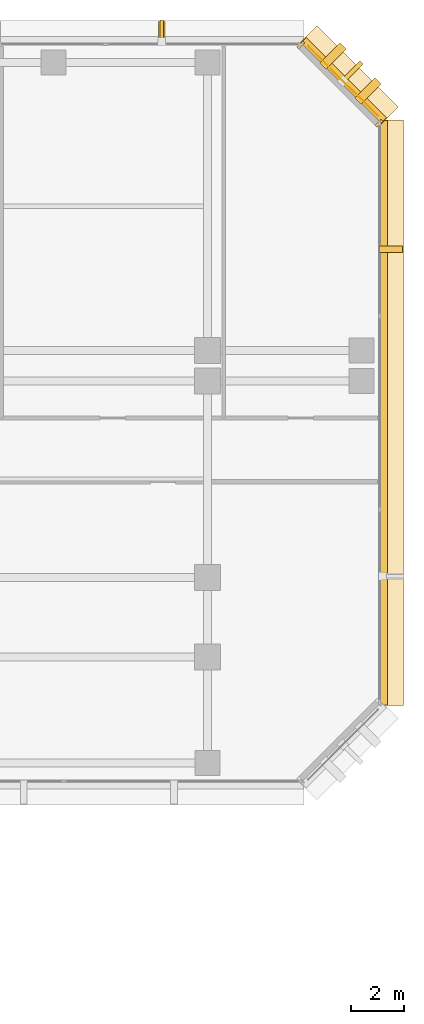
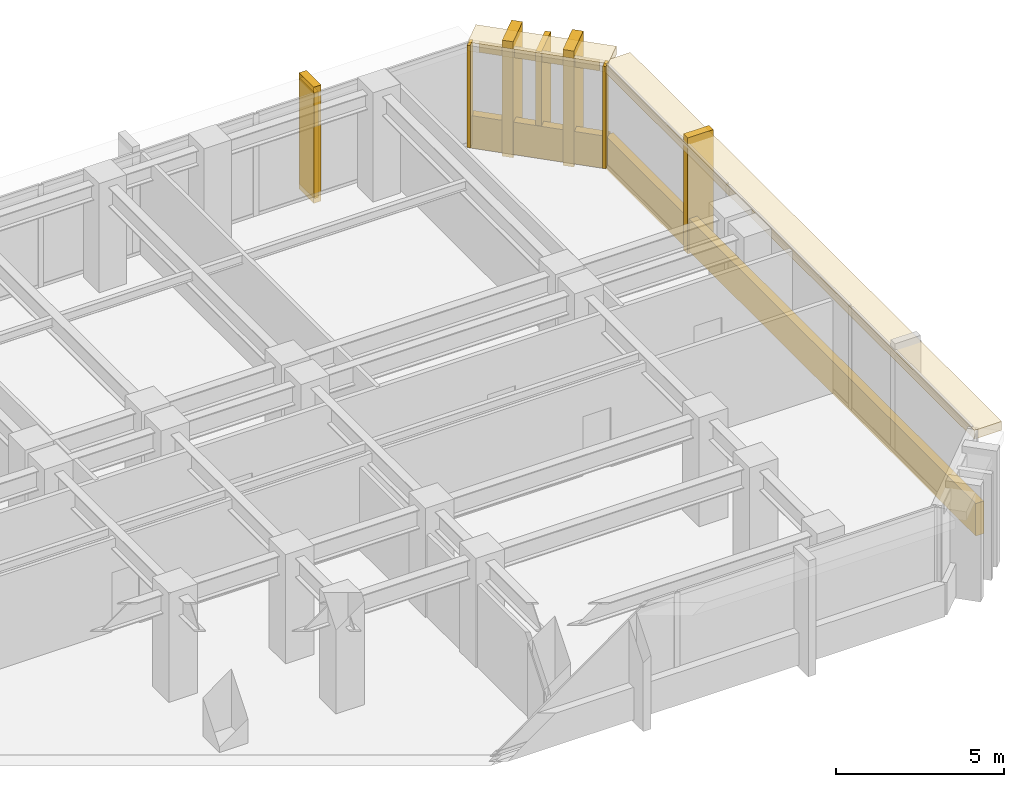
# One storey, part 14 of 14: 11 coverings, 2 shading devices.
"""IFC4 building model written with IfcOpenShell, lengths in metres."""

from ifc_helpers import new_model, si_unit, direction, frame, origin, origin_2d, place, context, subcontext, project, spatial, rectangle, extrude, material, layer, layer_set, material_profile, profile_set, type_object, element, save


model = new_model("IFC4")

# Units and contexts
model_context = context("Model", 3, precision=1e-05, world=origin(), true_north=direction((0.0, 1.0)))
body_context = subcontext(model_context, "Body", "Model", "MODEL_VIEW")
ifc_project = project(units=[si_unit("LENGTHUNIT", "METRE"), si_unit("AREAUNIT", "SQUARE_METRE"), si_unit("VOLUMEUNIT", "CUBIC_METRE"), si_unit("PLANEANGLEUNIT", "RADIAN"), si_unit("MASSUNIT", "GRAM", prefix="KILO")], contexts=[model_context])

# Site, building, storey
site_placement = place(None, origin())
site = spatial("IfcSite", under=ifc_project, at=site_placement, CompositionType="ELEMENT")
building_placement = place(site_placement, origin())
building = spatial("IfcBuilding", under=site, at=building_placement, Name="Kefirva Bronze Tower", CompositionType="ELEMENT")
storey_placement = place(building_placement, frame((0.0, 0.0, 42.239990234375)))
storey = spatial("IfcBuildingStorey", under=building, at=storey_placement, Name="L09", CompositionType="ELEMENT", Elevation=42.239990234375)

# Coverings
ifc_material = material(Name="Bronze anodised aluminium", Category="aluminium")
ifc_layer_1 = layer(ifc_material, 0.02001953125, Name="Bronze anodised aluminium")
ifc_layer_set_1 = layer_set([ifc_layer_1], Name="Bronze anodised aluminium")
covering_type_1 = type_object("IfcCoveringType", Name="Anodised Bronze Spandrel Cladding 20mm", PredefinedType="CLADDING", material=ifc_layer_set_1)
covering_1_placement = place(storey_placement, frame((56.0400390625, 32.0, -0.16015625), z_axis=(0.0, 0.0, 1.0), x_axis=(0.0, 1.0, 0.0)))
element("IfcCovering", 1, at=covering_1_placement, inside=storey, type_object=covering_type_1, Name="L09 Streamline Horizontal Spandrel Band 6", PredefinedType="CLADDING", context=body_context, shape_type="SweptSolid", body=[
    extrude(rectangle(XDim=22.0400390625, YDim=0.280029296875, at=origin_2d()), origin(), (0.0, 0.0, 1.0), 1.179931640625),
])
covering_2_placement = place(storey_placement, frame((54.507080078125, 44.507080078125, 3.2900390625), z_axis=(0.0, 0.0, 1.0), x_axis=(-0.707106781187, 0.707106781187, 0.0)))
element("IfcCovering", 2, at=covering_2_placement, inside=storey, type_object=covering_type_1, Name="L09 Bronze Spandrel Cladding 5", PredefinedType="CLADDING", context=body_context, shape_type="SweptSolid", body=[
    extrude(rectangle(XDim=3.719482421875, YDim=0.02001953125, at=origin_2d()), origin(), (0.0, 0.0, 1.0), 0.39990234375),
])
for number, where, z_axis, x_axis, name in (
    (3, (55.862060546875, 42.91162109375, 0.0), (0.0, 0.0, 1.0), (-0.707106781187, 0.707106781187, 0.0), "L09 Facade Joint Closure Panel 5S"),
    (4, (52.91162109375, 45.862060546875, 0.0), (0.0, 0.0, 1.0), (-0.707106781187, 0.707106781187, 0.0), "L09 Facade Joint Closure Panel 5E"),
):
    element("IfcCovering", number, at=place(storey_placement, frame(where, z_axis=z_axis, x_axis=x_axis)), inside=storey, type_object=covering_type_1, Name=name, PredefinedType="CLADDING", context=body_context, shape_type="SweptSolid", body=[
        extrude(rectangle(XDim=0.10009765625, YDim=0.320068359375, at=origin_2d()), origin(), (0.0, 0.0, 1.0), 3.7099609375),
    ])
covering_3_placement = place(storey_placement, frame((54.5283203125, 44.5283203125, -0.16015625), z_axis=(0.0, 0.0, 1.0), x_axis=(-0.707106781187, 0.707106781187, 0.0)))
element("IfcCovering", 5, at=covering_3_placement, inside=storey, type_object=covering_type_1, Name="L09 Streamline Horizontal Spandrel Band 7", PredefinedType="CLADDING", context=body_context, shape_type="SweptSolid", body=[
    extrude(rectangle(XDim=4.28271484375, YDim=0.280029296875, at=origin_2d()), origin(), (0.0, 0.0, 1.0), 1.179931640625),
])

# Shading device
ifc_material_profile_1 = material_profile(ifc_material, rectangle(XDim=0.179931640625, YDim=1.080078125, at=origin_2d()), Name="BRONZE BUTTRESS FIN 180x1080")
ifc_profile_set_1 = profile_set([ifc_material_profile_1], Name="Bronze anodised aluminium")
shading_device_type_1 = type_object("IfcShadingDeviceType", Name="Chamfered Corner Buttress Bronze Fin 1080mm", PredefinedType="USERDEFINED", material=ifc_profile_set_1)
shading_device_1_placement = place(storey_placement, frame((54.8251953125, 44.8251953125, -0.139892578125), z_axis=(0.0, 0.0, 1.0), x_axis=(-0.707106781187, 0.707106781187, 0.0)))
element("IfcShadingDevice", 6, at=shading_device_1_placement, inside=storey, type_object=shading_device_type_1, Name="L09 Chamfered Corner Buttress Fin 18", ObjectType="VERTICAL FIN", PredefinedType="USERDEFINED", context=body_context, shape_type="SweptSolid", body=[
    extrude(rectangle(XDim=0.179931640625, YDim=1.080078125, at=origin_2d()), origin(), (0.0, 0.0, 1.0), 3.849853515625),
])

# Coverings
ifc_layer_2 = layer(ifc_material, 0.179931640625, Name="Bronze anodised aluminium")
ifc_layer_set_2 = layer_set([ifc_layer_2], Name="Bronze anodised aluminium")
covering_type_2 = type_object("IfcCoveringType", Name="Streamline Bronze Sunshade Eyebrow Cladding 180mm", PredefinedType="CLADDING", material=ifc_layer_set_2)
covering_4_placement = place(storey_placement, frame((56.31005859375, 32.0, 3.39013671875), z_axis=(0.0, 0.0, 1.0), x_axis=(0.0, 1.0, 0.0)))
element("IfcCovering", 7, at=covering_4_placement, inside=storey, type_object=covering_type_2, Name="L09 Streamline Bronze Sunshade Eyebrow 6", PredefinedType="CLADDING", context=body_context, shape_type="SweptSolid", body=[
    extrude(rectangle(XDim=22.080078125, YDim=0.93994140625, at=origin_2d()), origin(), (0.0, 0.0, 1.0), 0.320068359375),
])
covering_5_placement = place(storey_placement, frame((54.71923828125, 44.71923828125, 3.39013671875), z_axis=(0.0, 0.0, 1.0), x_axis=(-0.707106781187, 0.707106781187, 0.0)))
element("IfcCovering", 8, at=covering_5_placement, inside=storey, type_object=covering_type_2, Name="L09 Streamline Bronze Sunshade Eyebrow 7", PredefinedType="CLADDING", context=body_context, shape_type="SweptSolid", body=[
    extrude(rectangle(XDim=4.322509765625, YDim=0.93994140625, at=origin_2d()), origin(), (0.0, 0.0, 1.0), 0.320068359375),
])
ifc_layer_3 = layer(ifc_material, 0.260009765625, Name="Bronze anodised aluminium")
ifc_layer_set_3 = layer_set([ifc_layer_3], Name="Bronze anodised aluminium")
covering_type_3 = type_object("IfcCoveringType", Name="Unbroken Bronze Buttress Fin Cladding 260mm", PredefinedType="CLADDING", material=ifc_layer_set_3)
covering_6_placement = place(storey_placement, frame((56.300048828125, 38.159912109375, -0.25), z_axis=(0.0, 0.0, 1.0), x_axis=(0.0, 1.0, 0.0)))
element("IfcCovering", 9, at=covering_6_placement, inside=storey, type_object=covering_type_3, Name="L09 Unbroken Vertical Bronze Rib Fin 16", PredefinedType="CLADDING", context=body_context, shape_type="SweptSolid", body=[
    extrude(rectangle(XDim=0.260009765625, YDim=0.8798828125, at=origin_2d()), origin(), (0.0, 0.0, 1.0), 4.2099609375),
])
for number, where, z_axis, x_axis, name in (
    (10, (55.44287109375, 44.122802734375, -0.25), (0.0, 0.0, 1.0), (-0.707106781187, 0.707106781187, 0.0), "L09 Chamfered Corner Buttress Fin Cladding 17"),
    (11, (54.122802734375, 45.44287109375, -0.25), (0.0, 0.0, 1.0), (-0.707106781187, 0.707106781187, 0.0), "L09 Chamfered Corner Buttress Fin Cladding 18"),
):
    element("IfcCovering", number, at=place(storey_placement, frame(where, z_axis=z_axis, x_axis=x_axis)), inside=storey, type_object=covering_type_3, Name=name, PredefinedType="CLADDING", context=body_context, shape_type="SweptSolid", body=[
        extrude(rectangle(XDim=0.340087890625, YDim=1.080078125, at=origin_2d()), origin(), (0.0, 0.0, 1.0), 4.2099609375),
    ])
covering_7_placement = place(storey_placement, frame((47.6728515625, 46.300048828125, -0.25), z_axis=(0.0, 0.0, 1.0), x_axis=(-1.0, 0.0, 0.0)))
element("IfcCovering", 12, at=covering_7_placement, inside=storey, type_object=covering_type_3, Name="L09 Unbroken Vertical Bronze Rib Fin 19", PredefinedType="CLADDING", context=body_context, shape_type="SweptSolid", body=[
    extrude(rectangle(XDim=0.260009765625, YDim=0.8798828125, at=origin_2d()), origin(), (0.0, 0.0, 1.0), 4.2099609375),
])

# Shading device
ifc_material_profile_2 = material_profile(ifc_material, rectangle(XDim=0.139892578125, YDim=0.8798828125, at=origin_2d()), Name="BRONZE FIN 140x880")
ifc_profile_set_2 = profile_set([ifc_material_profile_2], Name="Bronze anodised aluminium")
shading_device_type_2 = type_object("IfcShadingDeviceType", Name="Unbroken Vertical Bronze Facade Fin 880mm", PredefinedType="USERDEFINED", material=ifc_profile_set_2)
shading_device_2_placement = place(storey_placement, frame((47.6728515625, 46.360107421875, -0.139892578125), z_axis=(0.0, 0.0, 1.0), x_axis=(-1.0, 0.0, 0.0)))
element("IfcShadingDevice", 13, at=shading_device_2_placement, inside=storey, type_object=shading_device_type_2, Name="L09 Vertical Bronze Rib Fin 19", ObjectType="VERTICAL FIN", PredefinedType="USERDEFINED", context=body_context, shape_type="SweptSolid", body=[
    extrude(rectangle(XDim=0.139892578125, YDim=0.8798828125, at=origin_2d()), origin(), (0.0, 0.0, 1.0), 3.849853515625),
])

save(model, "model.ifc")
